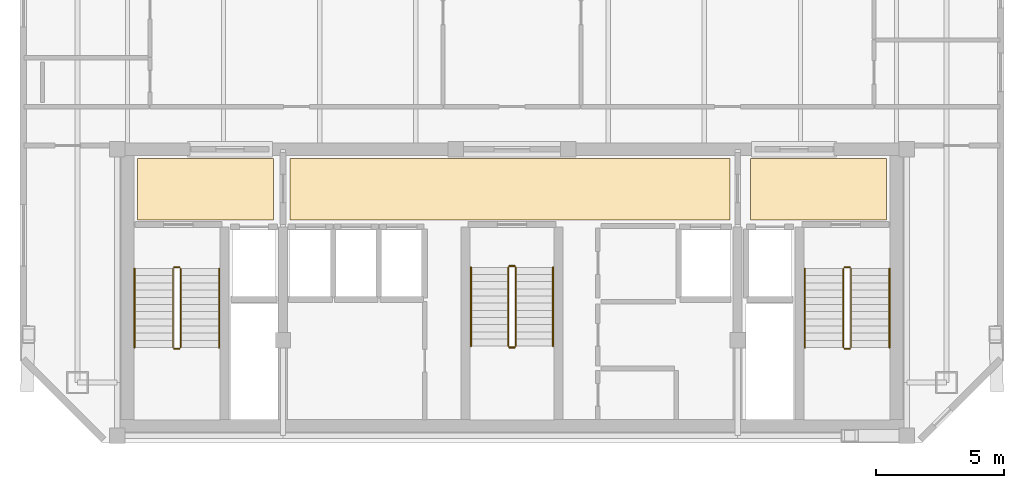
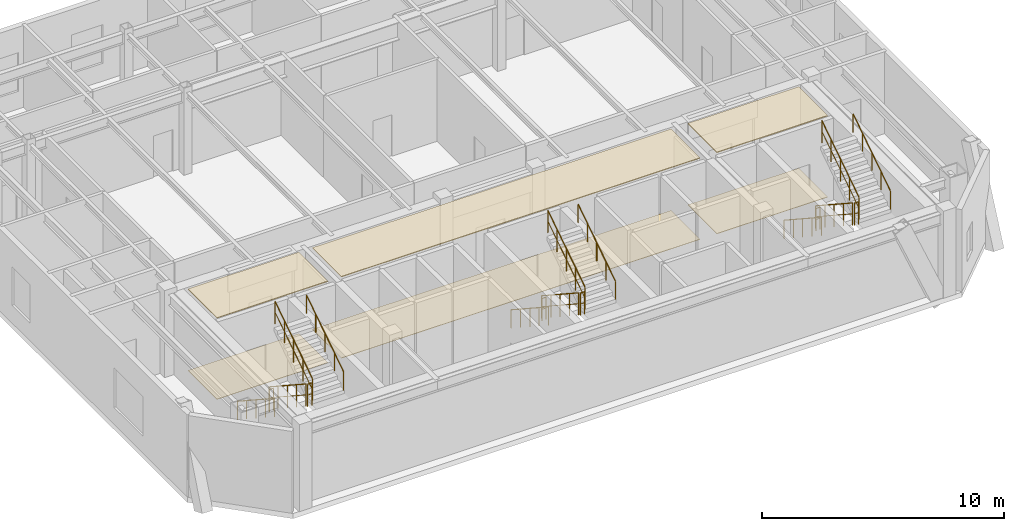
# One storey, part 6 of 6: 18 railings, 6 coverings.
"""IFC4 building model written with IfcOpenShell, lengths in metres."""

from ifc_helpers import new_model, si_unit, direction, frame, origin, origin_2d, place, context, subcontext, project, spatial, polyline, circle, outline, extrude, material, layer, layer_set, type_object, element, save


model = new_model("IFC4")

# Units and contexts
model_context = context("Model", 3, precision=1e-05, world=origin(), true_north=direction((0.0, 1.0)))
body_context = subcontext(model_context, "Body", "Model", "MODEL_VIEW")
ifc_project = project(units=[si_unit("LENGTHUNIT", "METRE"), si_unit("AREAUNIT", "SQUARE_METRE"), si_unit("VOLUMEUNIT", "CUBIC_METRE"), si_unit("PLANEANGLEUNIT", "RADIAN"), si_unit("MASSUNIT", "GRAM", prefix="KILO")], contexts=[model_context])

# Site, building, storey
site_placement = place(None, origin())
site = spatial("IfcSite", under=ifc_project, at=site_placement, CompositionType="ELEMENT")
building_placement = place(site_placement, origin())
building = spatial("IfcBuilding", under=site, at=building_placement, Name="Ventersveld Concourse Tower", CompositionType="ELEMENT")
storey_placement = place(building_placement, frame((0.0, 0.0, 349.050048828125)))
storey = spatial("IfcBuildingStorey", under=building, at=storey_placement, Name="L86", CompositionType="ELEMENT", Elevation=349.050048828125)

# Coverings
ifc_material_1 = material(Name="Mineral-fibre acoustic ceiling tile", Category="gypsum")
ifc_layer_1 = layer(ifc_material_1, 0.0400390625)
ifc_layer_set_1 = layer_set([ifc_layer_1], Name="Mineral-fibre acoustic ceiling tile")
covering_type_1 = type_object("IfcCoveringType", Name="COV-CEIL-ACOUSTIC", PredefinedType="CEILING", material=ifc_layer_set_1)
covering_1_placement = place(storey_placement, frame((0.0, 0.0, 4.099853515625)))
element("IfcCovering", 1, at=covering_1_placement, inside=storey, type_object=covering_type_1, Name="L86 North Lift Lobby Acoustic Ceiling", PredefinedType="CEILING", context=body_context, shape_type="SweptSolid", body=[
    extrude(outline(polyline([(20.10009765625, 8.699951171875), (37.25, 8.699951171875), (37.25, 11.10009765625), (20.10009765625, 11.10009765625), (20.10009765625, 8.699951171875)])), origin(), (0.0, 0.0, 1.0), 0.0400390625),
])
covering_2_placement = place(storey_placement, frame((0.0, 0.0, 4.099853515625)))
element("IfcCovering", 2, at=covering_2_placement, inside=storey, type_object=covering_type_1, Name="L86 West Firefighting Lobby Acoustic Ceiling", PredefinedType="CEILING", context=body_context, shape_type="SweptSolid", body=[
    extrude(outline(polyline([(14.14990234375, 8.699951171875), (19.449951171875, 8.699951171875), (19.449951171875, 11.10009765625), (14.14990234375, 11.10009765625), (14.14990234375, 8.699951171875)])), origin(), (0.0, 0.0, 1.0), 0.0400390625),
])
covering_3_placement = place(storey_placement, frame((0.0, 0.0, 4.099853515625)))
element("IfcCovering", 3, at=covering_3_placement, inside=storey, type_object=covering_type_1, Name="L86 East Firefighting Lobby Acoustic Ceiling", PredefinedType="CEILING", context=body_context, shape_type="SweptSolid", body=[
    extrude(outline(polyline([(38.050048828125, 8.699951171875), (43.35009765625, 8.699951171875), (43.35009765625, 11.10009765625), (38.050048828125, 11.10009765625), (38.050048828125, 8.699951171875)])), origin(), (0.0, 0.0, 1.0), 0.0400390625),
])
ifc_material_2 = material(Name="Polished Highveld granite terrazzo", Category="masonry")
ifc_layer_2 = layer(ifc_material_2, 0.02001953125)
ifc_layer_set_2 = layer_set([ifc_layer_2], Name="Polished Highveld granite terrazzo")
covering_type_2 = type_object("IfcCoveringType", Name="COV-FLOOR-TERRAZZO", PredefinedType="FLOORING", material=ifc_layer_set_2)
covering_4_placement = place(storey_placement, origin())
element("IfcCovering", 4, at=covering_4_placement, inside=storey, type_object=covering_type_2, Name="L86 North Lift Lobby Terrazzo Flooring", PredefinedType="FLOORING", context=body_context, shape_type="SweptSolid", body=[
    extrude(outline(polyline([(20.10009765625, 8.699951171875), (37.25, 8.699951171875), (37.25, 11.10009765625), (20.10009765625, 11.10009765625), (20.10009765625, 8.699951171875)])), origin(), (0.0, 0.0, 1.0), 0.02001953125),
])
covering_5_placement = place(storey_placement, origin())
element("IfcCovering", 5, at=covering_5_placement, inside=storey, type_object=covering_type_2, Name="L86 West Firefighting Lobby Terrazzo Flooring", PredefinedType="FLOORING", context=body_context, shape_type="SweptSolid", body=[
    extrude(outline(polyline([(14.14990234375, 8.699951171875), (19.449951171875, 8.699951171875), (19.449951171875, 11.10009765625), (14.14990234375, 11.10009765625), (14.14990234375, 8.699951171875)])), origin(), (0.0, 0.0, 1.0), 0.02001953125),
])
covering_6_placement = place(storey_placement, origin())
element("IfcCovering", 6, at=covering_6_placement, inside=storey, type_object=covering_type_2, Name="L86 East Firefighting Lobby Terrazzo Flooring", PredefinedType="FLOORING", context=body_context, shape_type="SweptSolid", body=[
    extrude(outline(polyline([(38.050048828125, 8.699951171875), (43.35009765625, 8.699951171875), (43.35009765625, 11.10009765625), (38.050048828125, 11.10009765625), (38.050048828125, 8.699951171875)])), origin(), (0.0, 0.0, 1.0), 0.02001953125),
])

# Railings
ifc_material_3 = material(Name="Brushed stainless steel 316", Category="steel")
railing_type_1 = type_object("IfcRailingType", Name="GD-BAL-115", PredefinedType="GUARDRAIL", material=ifc_material_3)
railing_1_placement = place(storey_placement, frame((15.530029296875, 6.800048828125, 0.183349609375)))
element("IfcRailing", 7, at=railing_1_placement, inside=storey, type_object=railing_type_1, Name="L86 ST-01 stair guard 1", PredefinedType="GUARDRAIL", context=body_context, shape_type="SweptSolid", body=[
    extrude(circle(Radius=0.02392578125, at=origin_2d()), frame((0.0, 0.0, 1.1259765625), z_axis=(0.0, -0.836633000464, 0.547763838287), x_axis=(1.0, 0.0, 0.0)), (0.0, 0.0, 1.0), 3.681396484375),
    extrude(circle(Radius=0.01611328125, at=origin_2d()), frame((0.0, 0.0, 0.574951171875), z_axis=(0.0, -0.836633000464, 0.547763838287), x_axis=(1.0, 0.0, 0.0)), (0.0, 0.0, 1.0), 3.681396484375),
    extrude(circle(Radius=0.02099609375, at=origin_2d()), origin(), (0.0, 0.0, 1.0), 1.101806640625),
    extrude(circle(Radius=0.02099609375, at=origin_2d()), frame((0.0, -0.77001953125, 0.504150390625)), (0.0, 0.0, 1.0), 1.101806640625),
    extrude(circle(Radius=0.02099609375, at=origin_2d()), frame((0.0, -1.5400390625, 1.00830078125)), (0.0, 0.0, 1.0), 1.101806640625),
    extrude(circle(Radius=0.02099609375, at=origin_2d()), frame((0.0, -2.31005859375, 1.512451171875)), (0.0, 0.0, 1.0), 1.101806640625),
    extrude(circle(Radius=0.02099609375, at=origin_2d()), frame((0.0, -3.080078125, 2.0166015625)), (0.0, 0.0, 1.0), 1.101806640625),
])
railing_2_placement = place(storey_placement, frame((15.580078125, 3.669921875, 2.199951171875)))
element("IfcRailing", 8, at=railing_2_placement, inside=storey, type_object=railing_type_1, Name="L86 ST-01 stair guard 2", PredefinedType="GUARDRAIL", context=body_context, shape_type="SweptSolid", body=[
    extrude(circle(Radius=0.02392578125, at=origin_2d()), frame((0.0, 0.0, 1.1259765625), z_axis=(1.0, 0.0, 0.0), x_axis=(0.0, 1.0, 0.0)), (0.0, 0.0, 1.0), 0.199951171875),
    extrude(circle(Radius=0.01611328125, at=origin_2d()), frame((0.0, 0.0, 0.574951171875), z_axis=(1.0, 0.0, 0.0), x_axis=(0.0, 1.0, 0.0)), (0.0, 0.0, 1.0), 0.199951171875),
    extrude(circle(Radius=0.02099609375, at=origin_2d()), origin(), (0.0, 0.0, 1.0), 1.101806640625),
    extrude(circle(Radius=0.02099609375, at=origin_2d()), frame((0.199951171875, 0.0, 0.0)), (0.0, 0.0, 1.0), 1.101806640625),
])
railing_3_placement = place(storey_placement, frame((15.830078125, 3.719970703125, 2.38330078125)))
element("IfcRailing", 9, at=railing_3_placement, inside=storey, type_object=railing_type_1, Name="L86 ST-01 stair guard 3", PredefinedType="GUARDRAIL", context=body_context, shape_type="SweptSolid", body=[
    extrude(circle(Radius=0.02392578125, at=origin_2d()), frame((0.0, 0.0, 1.1259765625), z_axis=(0.0, 0.836633000464, 0.547763838287), x_axis=(-1.0, 0.0, 0.0)), (0.0, 0.0, 1.0), 3.681396484375),
    extrude(circle(Radius=0.01611328125, at=origin_2d()), frame((0.0, 0.0, 0.574951171875), z_axis=(0.0, 0.836633000464, 0.547763838287), x_axis=(-1.0, 0.0, 0.0)), (0.0, 0.0, 1.0), 3.681396484375),
    extrude(circle(Radius=0.02099609375, at=origin_2d()), origin(), (0.0, 0.0, 1.0), 1.101806640625),
    extrude(circle(Radius=0.02099609375, at=origin_2d()), frame((0.0, 0.77001953125, 0.504150390625)), (0.0, 0.0, 1.0), 1.101806640625),
    extrude(circle(Radius=0.02099609375, at=origin_2d()), frame((0.0, 1.5400390625, 1.00830078125)), (0.0, 0.0, 1.0), 1.101806640625),
    extrude(circle(Radius=0.02099609375, at=origin_2d()), frame((0.0, 2.31005859375, 1.512451171875)), (0.0, 0.0, 1.0), 1.101806640625),
    extrude(circle(Radius=0.02099609375, at=origin_2d()), frame((0.0, 3.080078125, 2.0166015625)), (0.0, 0.0, 1.0), 1.101806640625),
])
railing_4_placement = place(storey_placement, frame((15.580078125, 6.85009765625, 0.0)))
element("IfcRailing", 10, at=railing_4_placement, inside=storey, type_object=railing_type_1, Name="L86 ST-01 stair guard 4", PredefinedType="GUARDRAIL", context=body_context, shape_type="SweptSolid", body=[
    extrude(circle(Radius=0.02392578125, at=origin_2d()), frame((0.0, 0.0, 1.1259765625), z_axis=(1.0, 0.0, 0.0), x_axis=(0.0, 1.0, 0.0)), (0.0, 0.0, 1.0), 0.199951171875),
    extrude(circle(Radius=0.01611328125, at=origin_2d()), frame((0.0, 0.0, 0.574951171875), z_axis=(1.0, 0.0, 0.0), x_axis=(0.0, 1.0, 0.0)), (0.0, 0.0, 1.0), 0.199951171875),
    extrude(circle(Radius=0.02099609375, at=origin_2d()), origin(), (0.0, 0.0, 1.0), 1.101806640625),
    extrude(circle(Radius=0.02099609375, at=origin_2d()), frame((0.199951171875, 0.0, 0.0)), (0.0, 0.0, 1.0), 1.101806640625),
])
railing_5_placement = place(storey_placement, frame((41.669921875, 6.800048828125, 0.183349609375)))
element("IfcRailing", 11, at=railing_5_placement, inside=storey, type_object=railing_type_1, Name="L86 ST-02 stair guard 1", PredefinedType="GUARDRAIL", context=body_context, shape_type="SweptSolid", body=[
    extrude(circle(Radius=0.02392578125, at=origin_2d()), frame((0.0, 0.0, 1.1259765625), z_axis=(0.0, -0.836633000464, 0.547763838287), x_axis=(1.0, 0.0, 0.0)), (0.0, 0.0, 1.0), 3.681396484375),
    extrude(circle(Radius=0.01611328125, at=origin_2d()), frame((0.0, 0.0, 0.574951171875), z_axis=(0.0, -0.836633000464, 0.547763838287), x_axis=(1.0, 0.0, 0.0)), (0.0, 0.0, 1.0), 3.681396484375),
    extrude(circle(Radius=0.02099609375, at=origin_2d()), origin(), (0.0, 0.0, 1.0), 1.101806640625),
    extrude(circle(Radius=0.02099609375, at=origin_2d()), frame((0.0, -0.77001953125, 0.504150390625)), (0.0, 0.0, 1.0), 1.101806640625),
    extrude(circle(Radius=0.02099609375, at=origin_2d()), frame((0.0, -1.5400390625, 1.00830078125)), (0.0, 0.0, 1.0), 1.101806640625),
    extrude(circle(Radius=0.02099609375, at=origin_2d()), frame((0.0, -2.31005859375, 1.512451171875)), (0.0, 0.0, 1.0), 1.101806640625),
    extrude(circle(Radius=0.02099609375, at=origin_2d()), frame((0.0, -3.080078125, 2.0166015625)), (0.0, 0.0, 1.0), 1.101806640625),
])
railing_6_placement = place(storey_placement, frame((41.719970703125, 3.669921875, 2.199951171875)))
element("IfcRailing", 12, at=railing_6_placement, inside=storey, type_object=railing_type_1, Name="L86 ST-02 stair guard 2", PredefinedType="GUARDRAIL", context=body_context, shape_type="SweptSolid", body=[
    extrude(circle(Radius=0.02392578125, at=origin_2d()), frame((0.0, 0.0, 1.1259765625), z_axis=(1.0, 0.0, 0.0), x_axis=(0.0, 1.0, 0.0)), (0.0, 0.0, 1.0), 0.199951171875),
    extrude(circle(Radius=0.01611328125, at=origin_2d()), frame((0.0, 0.0, 0.574951171875), z_axis=(1.0, 0.0, 0.0), x_axis=(0.0, 1.0, 0.0)), (0.0, 0.0, 1.0), 0.199951171875),
    extrude(circle(Radius=0.02099609375, at=origin_2d()), origin(), (0.0, 0.0, 1.0), 1.101806640625),
    extrude(circle(Radius=0.02099609375, at=origin_2d()), frame((0.199951171875, 0.0, 0.0)), (0.0, 0.0, 1.0), 1.101806640625),
])
railing_7_placement = place(storey_placement, frame((41.969970703125, 3.719970703125, 2.38330078125)))
element("IfcRailing", 13, at=railing_7_placement, inside=storey, type_object=railing_type_1, Name="L86 ST-02 stair guard 3", PredefinedType="GUARDRAIL", context=body_context, shape_type="SweptSolid", body=[
    extrude(circle(Radius=0.02392578125, at=origin_2d()), frame((0.0, 0.0, 1.1259765625), z_axis=(0.0, 0.836633000464, 0.547763838287), x_axis=(-1.0, 0.0, 0.0)), (0.0, 0.0, 1.0), 3.681396484375),
    extrude(circle(Radius=0.01611328125, at=origin_2d()), frame((0.0, 0.0, 0.574951171875), z_axis=(0.0, 0.836633000464, 0.547763838287), x_axis=(-1.0, 0.0, 0.0)), (0.0, 0.0, 1.0), 3.681396484375),
    extrude(circle(Radius=0.02099609375, at=origin_2d()), origin(), (0.0, 0.0, 1.0), 1.101806640625),
    extrude(circle(Radius=0.02099609375, at=origin_2d()), frame((0.0, 0.77001953125, 0.504150390625)), (0.0, 0.0, 1.0), 1.101806640625),
    extrude(circle(Radius=0.02099609375, at=origin_2d()), frame((0.0, 1.5400390625, 1.00830078125)), (0.0, 0.0, 1.0), 1.101806640625),
    extrude(circle(Radius=0.02099609375, at=origin_2d()), frame((0.0, 2.31005859375, 1.512451171875)), (0.0, 0.0, 1.0), 1.101806640625),
    extrude(circle(Radius=0.02099609375, at=origin_2d()), frame((0.0, 3.080078125, 2.0166015625)), (0.0, 0.0, 1.0), 1.101806640625),
])
railing_8_placement = place(storey_placement, frame((41.719970703125, 6.85009765625, 0.0)))
element("IfcRailing", 14, at=railing_8_placement, inside=storey, type_object=railing_type_1, Name="L86 ST-02 stair guard 4", PredefinedType="GUARDRAIL", context=body_context, shape_type="SweptSolid", body=[
    extrude(circle(Radius=0.02392578125, at=origin_2d()), frame((0.0, 0.0, 1.1259765625), z_axis=(1.0, 0.0, 0.0), x_axis=(0.0, 1.0, 0.0)), (0.0, 0.0, 1.0), 0.199951171875),
    extrude(circle(Radius=0.01611328125, at=origin_2d()), frame((0.0, 0.0, 0.574951171875), z_axis=(1.0, 0.0, 0.0), x_axis=(0.0, 1.0, 0.0)), (0.0, 0.0, 1.0), 0.199951171875),
    extrude(circle(Radius=0.02099609375, at=origin_2d()), origin(), (0.0, 0.0, 1.0), 1.101806640625),
    extrude(circle(Radius=0.02099609375, at=origin_2d()), frame((0.199951171875, 0.0, 0.0)), (0.0, 0.0, 1.0), 1.101806640625),
])
railing_9_placement = place(storey_placement, frame((28.60009765625, 6.85009765625, 0.183349609375)))
element("IfcRailing", 15, at=railing_9_placement, inside=storey, type_object=railing_type_1, Name="L86 ST-03 stair guard 1", PredefinedType="GUARDRAIL", context=body_context, shape_type="SweptSolid", body=[
    extrude(circle(Radius=0.02392578125, at=origin_2d()), frame((0.0, 0.0, 1.1259765625), z_axis=(0.0, -0.836633000464, 0.547763838287), x_axis=(1.0, 0.0, 0.0)), (0.0, 0.0, 1.0), 3.681396484375),
    extrude(circle(Radius=0.01611328125, at=origin_2d()), frame((0.0, 0.0, 0.574951171875), z_axis=(0.0, -0.836633000464, 0.547763838287), x_axis=(1.0, 0.0, 0.0)), (0.0, 0.0, 1.0), 3.681396484375),
    extrude(circle(Radius=0.02099609375, at=origin_2d()), origin(), (0.0, 0.0, 1.0), 1.101806640625),
    extrude(circle(Radius=0.02099609375, at=origin_2d()), frame((0.0, -0.77001953125, 0.504150390625)), (0.0, 0.0, 1.0), 1.101806640625),
    extrude(circle(Radius=0.02099609375, at=origin_2d()), frame((0.0, -1.5400390625, 1.00830078125)), (0.0, 0.0, 1.0), 1.101806640625),
    extrude(circle(Radius=0.02099609375, at=origin_2d()), frame((0.0, -2.31005859375, 1.512451171875)), (0.0, 0.0, 1.0), 1.101806640625),
    extrude(circle(Radius=0.02099609375, at=origin_2d()), frame((0.0, -3.080078125, 2.0166015625)), (0.0, 0.0, 1.0), 1.101806640625),
])
railing_10_placement = place(storey_placement, frame((28.64990234375, 3.719970703125, 2.199951171875)))
element("IfcRailing", 16, at=railing_10_placement, inside=storey, type_object=railing_type_1, Name="L86 ST-03 stair guard 2", PredefinedType="GUARDRAIL", context=body_context, shape_type="SweptSolid", body=[
    extrude(circle(Radius=0.02392578125, at=origin_2d()), frame((0.0, 0.0, 1.1259765625), z_axis=(1.0, 0.0, 0.0), x_axis=(0.0, 1.0, 0.0)), (0.0, 0.0, 1.0), 0.2001953125),
    extrude(circle(Radius=0.01611328125, at=origin_2d()), frame((0.0, 0.0, 0.574951171875), z_axis=(1.0, 0.0, 0.0), x_axis=(0.0, 1.0, 0.0)), (0.0, 0.0, 1.0), 0.2001953125),
    extrude(circle(Radius=0.02099609375, at=origin_2d()), origin(), (0.0, 0.0, 1.0), 1.101806640625),
    extrude(circle(Radius=0.02099609375, at=origin_2d()), frame((0.2001953125, 0.0, 0.0)), (0.0, 0.0, 1.0), 1.101806640625),
])
railing_11_placement = place(storey_placement, frame((28.89990234375, 3.77001953125, 2.38330078125)))
element("IfcRailing", 17, at=railing_11_placement, inside=storey, type_object=railing_type_1, Name="L86 ST-03 stair guard 3", PredefinedType="GUARDRAIL", context=body_context, shape_type="SweptSolid", body=[
    extrude(circle(Radius=0.02392578125, at=origin_2d()), frame((0.0, 0.0, 1.1259765625), z_axis=(0.0, 0.836633000464, 0.547763838287), x_axis=(-1.0, 0.0, 0.0)), (0.0, 0.0, 1.0), 3.681396484375),
    extrude(circle(Radius=0.01611328125, at=origin_2d()), frame((0.0, 0.0, 0.574951171875), z_axis=(0.0, 0.836633000464, 0.547763838287), x_axis=(-1.0, 0.0, 0.0)), (0.0, 0.0, 1.0), 3.681396484375),
    extrude(circle(Radius=0.02099609375, at=origin_2d()), origin(), (0.0, 0.0, 1.0), 1.101806640625),
    extrude(circle(Radius=0.02099609375, at=origin_2d()), frame((0.0, 0.77001953125, 0.504150390625)), (0.0, 0.0, 1.0), 1.101806640625),
    extrude(circle(Radius=0.02099609375, at=origin_2d()), frame((0.0, 1.5400390625, 1.00830078125)), (0.0, 0.0, 1.0), 1.101806640625),
    extrude(circle(Radius=0.02099609375, at=origin_2d()), frame((0.0, 2.31005859375, 1.512451171875)), (0.0, 0.0, 1.0), 1.101806640625),
    extrude(circle(Radius=0.02099609375, at=origin_2d()), frame((0.0, 3.080078125, 2.0166015625)), (0.0, 0.0, 1.0), 1.101806640625),
])
railing_12_placement = place(storey_placement, frame((28.64990234375, 6.89990234375, 0.0)))
element("IfcRailing", 18, at=railing_12_placement, inside=storey, type_object=railing_type_1, Name="L86 ST-03 stair guard 4", PredefinedType="GUARDRAIL", context=body_context, shape_type="SweptSolid", body=[
    extrude(circle(Radius=0.02392578125, at=origin_2d()), frame((0.0, 0.0, 1.1259765625), z_axis=(1.0, 0.0, 0.0), x_axis=(0.0, 1.0, 0.0)), (0.0, 0.0, 1.0), 0.2001953125),
    extrude(circle(Radius=0.01611328125, at=origin_2d()), frame((0.0, 0.0, 0.574951171875), z_axis=(1.0, 0.0, 0.0), x_axis=(0.0, 1.0, 0.0)), (0.0, 0.0, 1.0), 0.2001953125),
    extrude(circle(Radius=0.02099609375, at=origin_2d()), origin(), (0.0, 0.0, 1.0), 1.101806640625),
    extrude(circle(Radius=0.02099609375, at=origin_2d()), frame((0.2001953125, 0.0, 0.0)), (0.0, 0.0, 1.0), 1.101806640625),
])
railing_type_2 = type_object("IfcRailingType", Name="HR-RMP-095", PredefinedType="HANDRAIL", material=ifc_material_3)
railing_13_placement = place(storey_placement, frame((14.030029296875, 6.800048828125, 0.183349609375)))
element("IfcRailing", 19, at=railing_13_placement, inside=storey, type_object=railing_type_2, Name="L86 ST-01 stair handrail 1", PredefinedType="HANDRAIL", context=body_context, shape_type="SweptSolid", body=[
    extrude(circle(Radius=0.02392578125, at=origin_2d()), frame((0.0, 0.0, 0.92578125), z_axis=(0.0, -0.836633000464, 0.547763838287), x_axis=(1.0, 0.0, 0.0)), (0.0, 0.0, 1.0), 3.681396484375),
    extrude(circle(Radius=0.02099609375, at=origin_2d()), origin(), (0.0, 0.0, 1.0), 0.90185546875),
    extrude(circle(Radius=0.02099609375, at=origin_2d()), frame((0.0, -0.77001953125, 0.504150390625)), (0.0, 0.0, 1.0), 0.90185546875),
    extrude(circle(Radius=0.02099609375, at=origin_2d()), frame((0.0, -1.5400390625, 1.00830078125)), (0.0, 0.0, 1.0), 0.90185546875),
    extrude(circle(Radius=0.02099609375, at=origin_2d()), frame((0.0, -2.31005859375, 1.512451171875)), (0.0, 0.0, 1.0), 0.90185546875),
    extrude(circle(Radius=0.02099609375, at=origin_2d()), frame((0.0, -3.080078125, 2.0166015625)), (0.0, 0.0, 1.0), 0.90185546875),
])
railing_14_placement = place(storey_placement, frame((17.330078125, 3.719970703125, 2.38330078125)))
element("IfcRailing", 20, at=railing_14_placement, inside=storey, type_object=railing_type_2, Name="L86 ST-01 stair handrail 2", PredefinedType="HANDRAIL", context=body_context, shape_type="SweptSolid", body=[
    extrude(circle(Radius=0.02392578125, at=origin_2d()), frame((0.0, 0.0, 0.92578125), z_axis=(0.0, 0.836633000464, 0.547763838287), x_axis=(-1.0, 0.0, 0.0)), (0.0, 0.0, 1.0), 3.681396484375),
    extrude(circle(Radius=0.02099609375, at=origin_2d()), origin(), (0.0, 0.0, 1.0), 0.90185546875),
    extrude(circle(Radius=0.02099609375, at=origin_2d()), frame((0.0, 0.77001953125, 0.504150390625)), (0.0, 0.0, 1.0), 0.90185546875),
    extrude(circle(Radius=0.02099609375, at=origin_2d()), frame((0.0, 1.5400390625, 1.00830078125)), (0.0, 0.0, 1.0), 0.90185546875),
    extrude(circle(Radius=0.02099609375, at=origin_2d()), frame((0.0, 2.31005859375, 1.512451171875)), (0.0, 0.0, 1.0), 0.90185546875),
    extrude(circle(Radius=0.02099609375, at=origin_2d()), frame((0.0, 3.080078125, 2.0166015625)), (0.0, 0.0, 1.0), 0.90185546875),
])
railing_15_placement = place(storey_placement, frame((40.169921875, 6.800048828125, 0.183349609375)))
element("IfcRailing", 21, at=railing_15_placement, inside=storey, type_object=railing_type_2, Name="L86 ST-02 stair handrail 1", PredefinedType="HANDRAIL", context=body_context, shape_type="SweptSolid", body=[
    extrude(circle(Radius=0.02392578125, at=origin_2d()), frame((0.0, 0.0, 0.92578125), z_axis=(0.0, -0.836633000464, 0.547763838287), x_axis=(1.0, 0.0, 0.0)), (0.0, 0.0, 1.0), 3.681396484375),
    extrude(circle(Radius=0.02099609375, at=origin_2d()), origin(), (0.0, 0.0, 1.0), 0.90185546875),
    extrude(circle(Radius=0.02099609375, at=origin_2d()), frame((0.0, -0.77001953125, 0.504150390625)), (0.0, 0.0, 1.0), 0.90185546875),
    extrude(circle(Radius=0.02099609375, at=origin_2d()), frame((0.0, -1.5400390625, 1.00830078125)), (0.0, 0.0, 1.0), 0.90185546875),
    extrude(circle(Radius=0.02099609375, at=origin_2d()), frame((0.0, -2.31005859375, 1.512451171875)), (0.0, 0.0, 1.0), 0.90185546875),
    extrude(circle(Radius=0.02099609375, at=origin_2d()), frame((0.0, -3.080078125, 2.0166015625)), (0.0, 0.0, 1.0), 0.90185546875),
])
railing_16_placement = place(storey_placement, frame((43.469970703125, 3.719970703125, 2.38330078125)))
element("IfcRailing", 22, at=railing_16_placement, inside=storey, type_object=railing_type_2, Name="L86 ST-02 stair handrail 2", PredefinedType="HANDRAIL", context=body_context, shape_type="SweptSolid", body=[
    extrude(circle(Radius=0.02392578125, at=origin_2d()), frame((0.0, 0.0, 0.92578125), z_axis=(0.0, 0.836633000464, 0.547763838287), x_axis=(-1.0, 0.0, 0.0)), (0.0, 0.0, 1.0), 3.681396484375),
    extrude(circle(Radius=0.02099609375, at=origin_2d()), origin(), (0.0, 0.0, 1.0), 0.90185546875),
    extrude(circle(Radius=0.02099609375, at=origin_2d()), frame((0.0, 0.77001953125, 0.504150390625)), (0.0, 0.0, 1.0), 0.90185546875),
    extrude(circle(Radius=0.02099609375, at=origin_2d()), frame((0.0, 1.5400390625, 1.00830078125)), (0.0, 0.0, 1.0), 0.90185546875),
    extrude(circle(Radius=0.02099609375, at=origin_2d()), frame((0.0, 2.31005859375, 1.512451171875)), (0.0, 0.0, 1.0), 0.90185546875),
    extrude(circle(Radius=0.02099609375, at=origin_2d()), frame((0.0, 3.080078125, 2.0166015625)), (0.0, 0.0, 1.0), 0.90185546875),
])
railing_17_placement = place(storey_placement, frame((27.14990234375, 6.85009765625, 0.183349609375)))
element("IfcRailing", 23, at=railing_17_placement, inside=storey, type_object=railing_type_2, Name="L86 ST-03 stair handrail 1", PredefinedType="HANDRAIL", context=body_context, shape_type="SweptSolid", body=[
    extrude(circle(Radius=0.02392578125, at=origin_2d()), frame((0.0, 0.0, 0.92578125), z_axis=(0.0, -0.836633000464, 0.547763838287), x_axis=(1.0, 0.0, 0.0)), (0.0, 0.0, 1.0), 3.681396484375),
    extrude(circle(Radius=0.02099609375, at=origin_2d()), origin(), (0.0, 0.0, 1.0), 0.90185546875),
    extrude(circle(Radius=0.02099609375, at=origin_2d()), frame((0.0, -0.77001953125, 0.504150390625)), (0.0, 0.0, 1.0), 0.90185546875),
    extrude(circle(Radius=0.02099609375, at=origin_2d()), frame((0.0, -1.5400390625, 1.00830078125)), (0.0, 0.0, 1.0), 0.90185546875),
    extrude(circle(Radius=0.02099609375, at=origin_2d()), frame((0.0, -2.31005859375, 1.512451171875)), (0.0, 0.0, 1.0), 0.90185546875),
    extrude(circle(Radius=0.02099609375, at=origin_2d()), frame((0.0, -3.080078125, 2.0166015625)), (0.0, 0.0, 1.0), 0.90185546875),
])
railing_18_placement = place(storey_placement, frame((30.35009765625, 3.77001953125, 2.38330078125)))
element("IfcRailing", 24, at=railing_18_placement, inside=storey, type_object=railing_type_2, Name="L86 ST-03 stair handrail 2", PredefinedType="HANDRAIL", context=body_context, shape_type="SweptSolid", body=[
    extrude(circle(Radius=0.02392578125, at=origin_2d()), frame((0.0, 0.0, 0.92578125), z_axis=(0.0, 0.836633000464, 0.547763838287), x_axis=(-1.0, 0.0, 0.0)), (0.0, 0.0, 1.0), 3.681396484375),
    extrude(circle(Radius=0.02099609375, at=origin_2d()), origin(), (0.0, 0.0, 1.0), 0.90185546875),
    extrude(circle(Radius=0.02099609375, at=origin_2d()), frame((0.0, 0.77001953125, 0.504150390625)), (0.0, 0.0, 1.0), 0.90185546875),
    extrude(circle(Radius=0.02099609375, at=origin_2d()), frame((0.0, 1.5400390625, 1.00830078125)), (0.0, 0.0, 1.0), 0.90185546875),
    extrude(circle(Radius=0.02099609375, at=origin_2d()), frame((0.0, 2.31005859375, 1.512451171875)), (0.0, 0.0, 1.0), 0.90185546875),
    extrude(circle(Radius=0.02099609375, at=origin_2d()), frame((0.0, 3.080078125, 2.0166015625)), (0.0, 0.0, 1.0), 0.90185546875),
])

save(model, "model.ifc")
